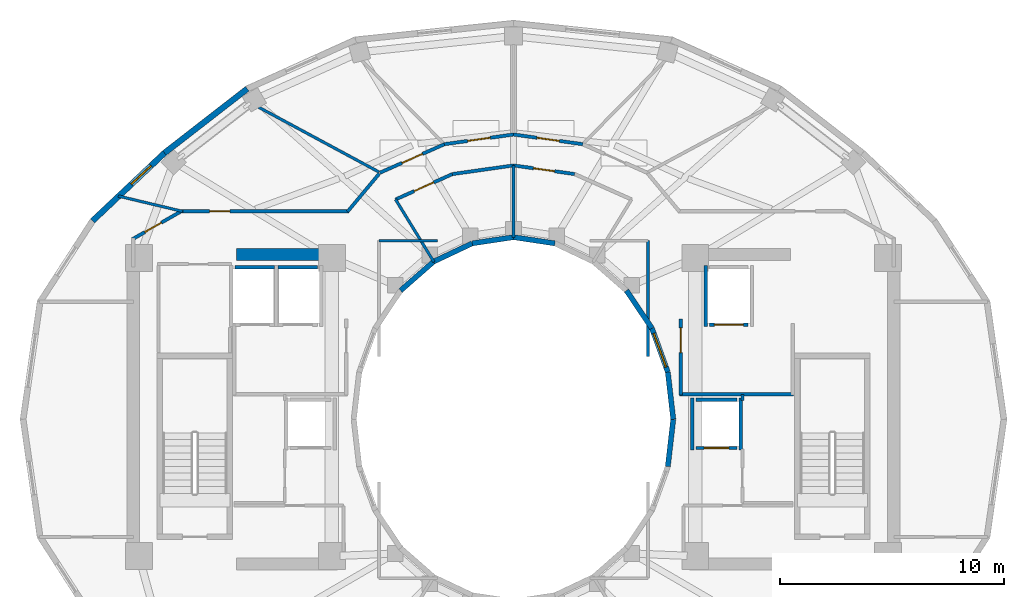
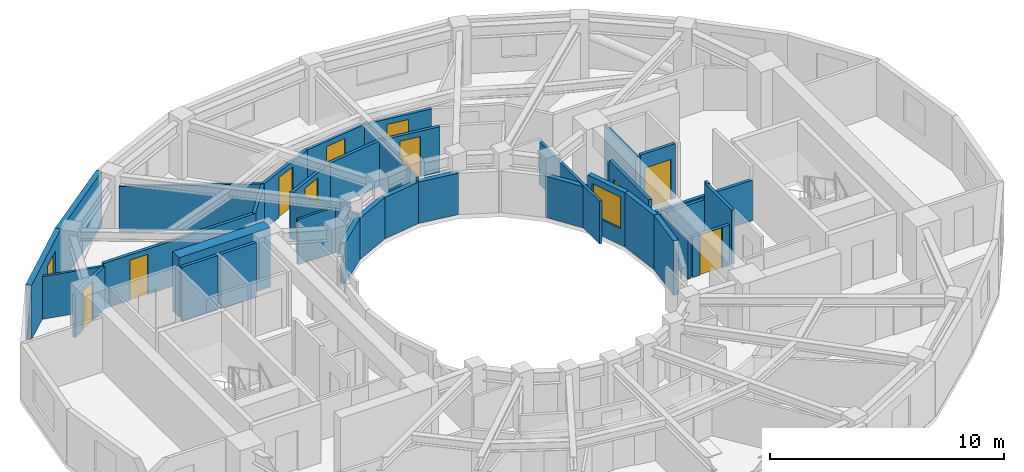
# One storey, part 5 of 9: 37 walls, 10 doors, 2 windows, 12 openings.
"""IFC4 building model written with IfcOpenShell, lengths in metres."""

import ifcopenshell
import ifcopenshell.guid

model = None  # the IFC model being written
_history = None  # IfcOwnerHistory: only IFC2X3 demands one
_inside = {}  # id of a spatial element -> (the spatial element, [elements in it])
_under = {}  # id of a project, library or spatial element -> (it, [spatial elements below it])
_declared = {}  # id of a project -> (the project, [libraries it declares])
_typed = {}  # id of a type object -> (the type object, [elements of that type])
_made_of = {}  # id of a material, layer set ... -> (it, [elements and type objects made of it])


def new_model(schema):
    """Start an empty IFC model of exactly this schema.

    Asked for "IFC4X3", IfcOpenShell would pick the latest addendum, in which some entities
    have other attributes; the version numbers below select the first issue.
    IFC2X3 requires an IfcOwnerHistory on every rooted entity: one is made here for all.
    """
    global model, _history
    if schema == "IFC4X3":
        model = ifcopenshell.file(schema_version=(4, 3, 0, 0))
    else:
        model = ifcopenshell.file(schema=schema)
    _inside.clear()
    _under.clear()
    _declared.clear()
    _typed.clear()
    _made_of.clear()
    _history = None
    if model.schema == "IFC2X3":
        org = make("IfcOrganization", Name="unknown")
        user = make(
            "IfcPersonAndOrganization",
            ThePerson=make("IfcPerson", FamilyName="unknown"),
            TheOrganization=org,
        )
        app = make(
            "IfcApplication",
            ApplicationDeveloper=org,
            Version="unknown",
            ApplicationFullName="unknown",
            ApplicationIdentifier="unknown",
        )
        _history = make(
            "IfcOwnerHistory",
            OwningUser=user,
            OwningApplication=app,
            ChangeAction="ADDED",
            CreationDate=0,
        )
    return model


def make(cls, **values):
    """One entity of the class cls with the attributes given. An attribute that is None is left unset."""
    return model.create_entity(
        cls, **{name: value for name, value in values.items() if value is not None}
    )


def rooted(cls, **values):
    """An entity with a GlobalId (a new one), such as an element, a storey or a relation."""
    return make(cls, GlobalId=ifcopenshell.guid.new(), OwnerHistory=_history, **values)


def si_unit(unit_type, name, prefix=None):
    """IfcSIUnit, for example si_unit("LENGTHUNIT", "METRE", prefix="MILLI")."""
    return make("IfcSIUnit", UnitType=unit_type, Prefix=prefix, Name=name)


def assignment(units):
    """IfcUnitAssignment: the units of a project."""
    return None if units is None else make("IfcUnitAssignment", Units=units)


def point(xyz):
    """IfcCartesianPoint."""
    return None if xyz is None else make("IfcCartesianPoint", Coordinates=xyz)


def direction(xyz):
    """IfcDirection."""
    return None if xyz is None else make("IfcDirection", DirectionRatios=xyz)


def frame(location, z_axis=None, x_axis=None):
    """IfcAxis2Placement3D, a coordinate frame: its origin and axes. An axis left out is left unset."""
    return make(
        "IfcAxis2Placement3D",
        Location=point(location),
        Axis=direction(z_axis),
        RefDirection=direction(x_axis),
    )


def frame_2d(location, x_axis=None):
    """IfcAxis2Placement2D, a coordinate frame in the plane: its origin and x axis."""
    return make(
        "IfcAxis2Placement2D", Location=point(location), RefDirection=direction(x_axis)
    )


def origin():
    """The frame at (0, 0, 0) with its axes left unset."""
    return frame((0.0, 0.0, 0.0))


def place(relative_to, where):
    """IfcLocalPlacement: puts the frame where relative to a parent placement (None: the world)."""
    return make(
        "IfcLocalPlacement", PlacementRelTo=relative_to, RelativePlacement=where
    )


def context(
    kind, dimensions, precision=None, world=None, true_north=None, identifier=None
):
    """IfcGeometricRepresentationContext, for example the 3D "Model" context."""
    return make(
        "IfcGeometricRepresentationContext",
        ContextIdentifier=identifier,
        ContextType=kind,
        CoordinateSpaceDimension=dimensions,
        Precision=precision,
        WorldCoordinateSystem=world,
        TrueNorth=true_north,
    )


def subcontext(parent, identifier, kind, view, scale=None):
    """IfcGeometricRepresentationSubContext, for example "Body" below "Model"."""
    return make(
        "IfcGeometricRepresentationSubContext",
        ContextIdentifier=identifier,
        ContextType=kind,
        ParentContext=parent,
        TargetScale=scale,
        TargetView=view,
    )


def project(units=None, contexts=None):
    """IfcProject with its units and contexts."""
    return rooted(
        "IfcProject",
        Name="project",
        RepresentationContexts=contexts,
        UnitsInContext=assignment(units),
    )


def spatial(cls, under=None, at=None, **own):
    """A site, building, storey or space (cls), placed at a placement, below another one or the project."""
    s = rooted(cls, ObjectPlacement=at, **own)
    if under is not None:
        _under.setdefault(under.id(), (under, []))[1].append(s)
    return s


def profile(cls, at=None, kind="AREA", **sizes):
    """A parametric profile (cls). Its sizes go by their IFC names, for example OverallWidth=200.0."""
    return make(cls, ProfileType=kind, Position=at, **sizes)


def rectangle(**sizes):
    """IfcRectangleProfileDef."""
    return profile("IfcRectangleProfileDef", **sizes)


def extrude(swept, where, along, depth):
    """IfcExtrudedAreaSolid: the profile swept, set in the frame where, extruded along a direction by depth."""
    return make(
        "IfcExtrudedAreaSolid",
        SweptArea=swept,
        Position=where,
        ExtrudedDirection=direction(along),
        Depth=depth,
    )


def shape(context_of_items, identifier, shape_type, items):
    """IfcShapeRepresentation: the items that make up one representation, for example the "Body"."""
    return make(
        "IfcShapeRepresentation",
        ContextOfItems=context_of_items,
        RepresentationIdentifier=identifier,
        RepresentationType=shape_type,
        Items=items,
    )


def material(Name=None, Category=None):
    """IfcMaterial."""
    return make("IfcMaterial", Name=Name, Category=Category)


def layer(
    of_material, thickness, ventilated=None, Name=None, Category=None, Priority=None
):
    """IfcMaterialLayer: one layer of a wall or slab, of a material (None: an air gap)."""
    return make(
        "IfcMaterialLayer",
        Material=of_material,
        LayerThickness=thickness,
        IsVentilated=ventilated,
        Name=Name,
        Category=Category,
        Priority=Priority,
    )


def layer_set(layers, Name=None):
    """IfcMaterialLayerSet."""
    return make("IfcMaterialLayerSet", MaterialLayers=layers, LayerSetName=Name)


def made_of(thing, what):
    """Note that an element or type object is made of a material, layer set ...; save() writes the relation."""
    if what is not None:
        _made_of.setdefault(what.id(), (what, []))[1].append(thing)
    return thing


def type_object(cls, material=None, **own):
    """A type object (cls), such as IfcWallType, which elements share."""
    return made_of(rooted(cls, **own), material)


def element(
    cls,
    number,
    at=None,
    inside=None,
    cuts=None,
    type_object=None,
    material=None,
    context=None,
    identifier="Body",
    shape_type=None,
    held_by="IfcProductDefinitionShape",
    body=None,
    shapes=None,
    **own,
):
    """One element of the class cls, such as IfcWall. Its Tag is "e" and its number.

    at: its placement. inside: the storey or other place that contains it. cuts: it is an
    opening in that element (IfcRelVoidsElement). A single representation is given by context,
    identifier, shape_type and body (its items); several are given by shapes. held_by: the class
    of the entity that holds the representations. save() writes the other relations.
    """
    e = rooted(cls, Tag="e%d" % number, ObjectPlacement=at, **own)
    if body is not None:
        shapes = [shape(context, identifier, shape_type, body)]
    if shapes is not None:
        e.Representation = make(held_by, Representations=shapes)
    if inside is not None:
        _inside.setdefault(inside.id(), (inside, []))[1].append(e)
    if cuts is not None:
        rooted(
            "IfcRelVoidsElement", RelatingBuildingElement=cuts, RelatedOpeningElement=e
        )
    if type_object is not None:
        _typed.setdefault(type_object.id(), (type_object, []))[1].append(e)
    return made_of(e, material)


def fill(opening, filler):
    """IfcRelFillsElement: the door or window that sits in an opening."""
    return rooted(
        "IfcRelFillsElement",
        RelatingOpeningElement=opening,
        RelatedBuildingElement=filler,
    )


def aggregate(whole, parts):
    """IfcRelAggregates: a whole, such as a stair, and the parts it consists of."""
    return rooted("IfcRelAggregates", RelatingObject=whole, RelatedObjects=parts)


def save(model, path):
    """Write the relations noted so far, then the file.

    IfcRelAggregates (storeys below a building ...), IfcRelContainedInSpatialStructure (elements
    in a storey), IfcRelDefinesByType, IfcRelAssociatesMaterial and IfcRelDeclares: one each for
    every whole, place, type object, material and project.
    """
    for whole, parts in _under.values():
        aggregate(whole, parts)
    for where, things in _inside.values():
        rooted(
            "IfcRelContainedInSpatialStructure",
            RelatedElements=things,
            RelatingStructure=where,
        )
    for kind, things in _typed.values():
        rooted("IfcRelDefinesByType", RelatedObjects=things, RelatingType=kind)
    for what, things in _made_of.values():
        rooted("IfcRelAssociatesMaterial", RelatedObjects=things, RelatingMaterial=what)
    for by, libraries in _declared.values():
        rooted("IfcRelDeclares", RelatingContext=by, RelatedDefinitions=libraries)
    model.write(path)


model = new_model("IFC4")

# Units and contexts
model_context = context("Model", 3, precision=1e-05, world=origin(), true_north=direction((0.0, 1.0)))
body_context = subcontext(model_context, "Body", "Model", "MODEL_VIEW")
ifc_project = project(units=[si_unit("LENGTHUNIT", "METRE"), si_unit("AREAUNIT", "SQUARE_METRE"), si_unit("VOLUMEUNIT", "CUBIC_METRE"), si_unit("PLANEANGLEUNIT", "RADIAN"), si_unit("MASSUNIT", "GRAM", prefix="KILO")], contexts=[model_context])

# Site, building, storey
site_placement = place(None, origin())
site = spatial("IfcSite", under=ifc_project, at=site_placement, CompositionType="ELEMENT")
building_placement = place(site_placement, origin())
building = spatial("IfcBuilding", under=site, at=building_placement, Name="Solvane Sanctuary Tower", CompositionType="ELEMENT")
storey_placement = place(building_placement, frame((0.0, 0.0, 229.5)))
storey = spatial("IfcBuildingStorey", under=building, at=storey_placement, Name="L70", CompositionType="ELEMENT", Elevation=229.5)

# Walls
ifc_material_1 = material(Name="Concrete C50/60", Category="concrete")
ifc_layer_1 = layer(ifc_material_1, 0.550048828125, Name="Concrete C50/60")
ifc_layer_set_1 = layer_set([ifc_layer_1], Name="Concrete C50/60")
wall_type_1 = type_object("IfcWallType", Name="Wall W-CORE-550", PredefinedType="SHEAR", material=ifc_layer_set_1)
wall_1_placement = place(storey_placement, frame((19.64990234375, 30.35009765625, 0.0), z_axis=(0.0, 0.0, 1.0), x_axis=(1.0, 0.0, 0.0)))
element("IfcWall", 1, at=wall_1_placement, inside=storey, type_object=wall_type_1, Name="L70 Core Shear Wall WC-N", PredefinedType="SHEAR", context=body_context, shape_type="SweptSolid", body=[
    extrude(rectangle(XDim=4.5, YDim=0.550048828125, at=frame_2d((2.25, 0.0))), origin(), (0.0, 0.0, 1.0), 3.10009765625),
])
ifc_material_2 = material(Name="Acoustic Gypsum Partition Board")
ifc_layer_2 = layer(ifc_material_2, 0.14990234375, Name="Acoustic Gypsum Partition Board")
ifc_layer_set_2 = layer_set([ifc_layer_2], Name="Acoustic Gypsum Partition Board")
wall_type_2 = type_object("IfcWallType", Name="Wall W-CORR-150", PredefinedType="PARTITIONING", material=ifc_layer_set_2)
wall_2_placement = place(storey_placement, frame((39.39990234375, 24.1201171875, 0.0), z_axis=(0.0, 0.0, 1.0), x_axis=(1.0, 0.0, 0.0)))
element("IfcWall", 2, at=wall_2_placement, inside=storey, type_object=wall_type_2, Name="L70 East Firefighting Lobby South Wall", PredefinedType="PARTITIONING", context=body_context, shape_type="SweptSolid", body=[
    extrude(rectangle(XDim=5.080078125, YDim=0.14990234375, at=frame_2d((2.5400390625, 0.0))), origin(), (0.0, 0.0, 1.0), 2.1201171875),
])

# Wall, opening, door
wall_3_placement = place(storey_placement, frame((39.449951171875, 24.080078125, 0.0), z_axis=(0.0, 0.0, 1.0), x_axis=(0.0, 1.0, 0.0)))
wall_3 = element("IfcWall", 3, at=wall_3_placement, inside=storey, type_object=wall_type_2, Name="L70 East Firefighting Lobby West Wall", PredefinedType="PARTITIONING", context=body_context, shape_type="SweptSolid", body=[
    extrude(rectangle(XDim=3.39990234375, YDim=0.14990234375, at=frame_2d((1.699951171875, 0.0))), origin(), (0.0, 0.0, 1.0), 2.85498046875),
])
opening_1_placement = place(wall_3_placement, frame((1.893798828125, 0.0, 0.0)))
opening_1 = element("IfcOpeningElement", 4, at=opening_1_placement, cuts=wall_3, Name="Opening D-L70-04", PredefinedType="OPENING", context=body_context, shape_type="SweptSolid", body=[
    extrude(rectangle(XDim=1.10009765625, YDim=2.10009765625, at=frame_2d((0.550048828125, 1.050048828125))), frame((0.0, 0.0849609375, 0.0), z_axis=(0.0, -1.0, 0.0), x_axis=(1.0, 0.0, 0.0)), (0.0, 0.0, 1.0), 0.169921875),
])
ifc_material_3 = material(Name="Architectural Stainless Steel 316", Category="steel")
door_type_1 = type_object("IfcDoorType", Name="Door D-FFL", OperationType="NOTDEFINED", PredefinedType="DOOR", material=ifc_material_3)
door_1_placement = place(opening_1_placement, origin())
door_1 = element("IfcDoor", 5, at=door_1_placement, inside=storey, type_object=door_type_1, Name="L70 East Firefighting Lobby Fire Door", OperationType="SINGLE_SWING_LEFT", OverallHeight=2.10009765625, OverallWidth=1.10009765625, PredefinedType="DOOR", context=body_context, shape_type="SweptSolid", body=[
    extrude(rectangle(XDim=1.10009765625, YDim=2.10009765625, at=frame_2d((0.550048828125, 1.050048828125))), frame((0.0, 0.02490234375, 0.0), z_axis=(0.0, -1.0, 0.0), x_axis=(1.0, 0.0, 0.0)), (0.0, 0.0, 1.0), 0.050048828125),
])
fill(opening_1, door_1)

wall_4_placement = place(storey_placement, frame((34.72412109375, 33.931884765625, 0.0), z_axis=(0.0, 0.0, 1.0), x_axis=(-0.990150268487, 0.140008734782, 0.0)))
wall_4 = element("IfcWall", 6, at=wall_4_placement, inside=storey, type_object=wall_type_2, Name="L70 Light-Well Alcove Corridor Wall 1", PredefinedType="PARTITIONING", context=body_context, shape_type="SweptSolid", body=[
    extrude(rectangle(XDim=2.758544921875, YDim=0.14990234375, at=frame_2d((1.37939453125, 0.0))), origin(), (0.0, 0.0, 1.0), 2.3759765625),
])
opening_2_placement = place(wall_4_placement, frame((0.904296875, 0.0, 0.0)))
opening_2 = element("IfcOpeningElement", 7, at=opening_2_placement, cuts=wall_4, Name="Opening D-L70-10", PredefinedType="OPENING", context=body_context, shape_type="SweptSolid", body=[
    extrude(rectangle(XDim=0.949951171875, YDim=2.10009765625, at=frame_2d((0.47509765625, 1.050048828125))), frame((0.0, 0.0849609375, 0.0), z_axis=(0.0, -1.0, 0.0), x_axis=(1.0, 0.0, 0.0)), (0.0, 0.0, 1.0), 0.169921875),
])
ifc_material_4 = material(Name="Engineered Tropical Hardwood", Category="wood")
door_type_2 = type_object("IfcDoorType", Name="Door D-ROOM-950", OperationType="NOTDEFINED", PredefinedType="DOOR", material=ifc_material_4)
door_2_placement = place(opening_2_placement, origin())
door_2 = element("IfcDoor", 8, at=door_2_placement, inside=storey, type_object=door_type_2, Name="L70 Light-Well Alcove Door 1", OperationType="SINGLE_SWING_LEFT", OverallHeight=2.10009765625, OverallWidth=0.949951171875, PredefinedType="DOOR", context=body_context, shape_type="SweptSolid", body=[
    extrude(rectangle(XDim=0.949951171875, YDim=2.10009765625, at=frame_2d((0.47509765625, 1.050048828125))), frame((0.0, 0.02490234375, 0.0), z_axis=(0.0, -1.0, 0.0), x_axis=(1.0, 0.0, 0.0)), (0.0, 0.0, 1.0), 0.050048828125),
])
fill(opening_2, door_2)

# Wall
wall_5_placement = place(storey_placement, frame((32.00732421875, 34.318115234375, 0.0), z_axis=(0.0, 0.0, 1.0), x_axis=(-0.990150268487, -0.140008734782, 0.0)))
element("IfcWall", 9, at=wall_5_placement, inside=storey, type_object=wall_type_2, Name="L70 Light-Well Alcove Corridor Wall 2", PredefinedType="PARTITIONING", context=body_context, shape_type="SweptSolid", body=[
    extrude(rectangle(XDim=2.758544921875, YDim=0.14990234375, at=frame_2d((1.37939453125, 0.0))), origin(), (0.0, 0.0, 1.0), 2.3759765625),
])

# Wall, opening, door
wall_6_placement = place(storey_placement, frame((29.279541015625, 33.932861328125, 0.0), z_axis=(0.0, 0.0, 1.0), x_axis=(-0.913254317828, -0.407389924971, 0.0)))
wall_6 = element("IfcWall", 10, at=wall_6_placement, inside=storey, type_object=wall_type_2, Name="L70 Light-Well Alcove Corridor Wall 2", PredefinedType="PARTITIONING", context=body_context, shape_type="SweptSolid", body=[
    extrude(rectangle(XDim=2.78662109375, YDim=0.14990234375, at=frame_2d((1.393310546875, 0.0))), origin(), (0.0, 0.0, 1.0), 2.3759765625),
])
opening_3_placement = place(wall_6_placement, frame((0.918212890625, 0.0, 0.0)))
opening_3 = element("IfcOpeningElement", 11, at=opening_3_placement, cuts=wall_6, Name="Opening D-L70-11", PredefinedType="OPENING", context=body_context, shape_type="SweptSolid", body=[
    extrude(rectangle(XDim=0.949951171875, YDim=2.10009765625, at=frame_2d((0.47509765625, 1.050048828125))), frame((0.0, 0.0849609375, 0.0), z_axis=(0.0, -1.0, 0.0), x_axis=(1.0, 0.0, 0.0)), (0.0, 0.0, 1.0), 0.169921875),
])
door_3_placement = place(opening_3_placement, origin())
door_3 = element("IfcDoor", 12, at=door_3_placement, inside=storey, type_object=door_type_2, Name="L70 Light-Well Alcove Door 2", OperationType="SINGLE_SWING_RIGHT", OverallHeight=2.10009765625, OverallWidth=0.949951171875, PredefinedType="DOOR", context=body_context, shape_type="SweptSolid", body=[
    extrude(rectangle(XDim=0.949951171875, YDim=2.10009765625, at=frame_2d((0.47509765625, 1.050048828125))), frame((0.0, 0.02490234375, 0.0), z_axis=(0.0, -1.0, 0.0), x_axis=(1.0, 0.0, 0.0)), (0.0, 0.0, 1.0), 0.050048828125),
])
fill(opening_3, door_3)

# Wall
wall_7_placement = place(storey_placement, frame((26.015869140625, 33.95458984375, 0.0), z_axis=(0.0, 0.0, 1.0), x_axis=(-0.64030392053, -0.76812166312, 0.0)))
element("IfcWall", 13, at=wall_7_placement, inside=storey, type_object=wall_type_2, Name="L70 NW Corner Throat Wall", PredefinedType="PARTITIONING", context=body_context, shape_type="SweptSolid", body=[
    extrude(rectangle(XDim=2.2099609375, YDim=0.14990234375, at=frame_2d((1.10498046875, 0.0))), origin(), (0.0, 0.0, 1.0), 2.3759765625),
])

# Wall, opening, door
wall_8_placement = place(storey_placement, frame((17.14990234375, 32.280029296875, 0.0), z_axis=(0.0, 0.0, 1.0), x_axis=(1.0, 0.0, 0.0)))
wall_8 = element("IfcWall", 14, at=wall_8_placement, inside=storey, type_object=wall_type_2, Name="L70 NW Corner Corridor Wall", PredefinedType="PARTITIONING", context=body_context, shape_type="SweptSolid", body=[
    extrude(rectangle(XDim=7.52001953125, YDim=0.14990234375, at=frame_2d((3.760009765625, 0.0))), origin(), (0.0, 0.0, 1.0), 2.3759765625),
])
opening_4_placement = place(wall_8_placement, frame((1.300048828125, 0.0, 0.0)))
opening_4 = element("IfcOpeningElement", 15, at=opening_4_placement, cuts=wall_8, Name="Opening D-L70-17", PredefinedType="OPENING", context=body_context, shape_type="SweptSolid", body=[
    extrude(rectangle(XDim=0.89990234375, YDim=2.10009765625, at=frame_2d((0.449951171875, 1.050048828125))), frame((0.0, 0.0849609375, 0.0), z_axis=(0.0, -1.0, 0.0), x_axis=(1.0, 0.0, 0.0)), (0.0, 0.0, 1.0), 0.169921875),
])
door_type_3 = type_object("IfcDoorType", Name="Door D-WET-900", OperationType="NOTDEFINED", PredefinedType="DOOR", material=ifc_material_4)
door_4_placement = place(opening_4_placement, origin())
door_4 = element("IfcDoor", 16, at=door_4_placement, inside=storey, type_object=door_type_3, Name="L70 NW Corner Salon Door", OperationType="SINGLE_SWING_RIGHT", OverallHeight=2.10009765625, OverallWidth=0.89990234375, PredefinedType="DOOR", context=body_context, shape_type="SweptSolid", body=[
    extrude(rectangle(XDim=0.89990234375, YDim=2.10009765625, at=frame_2d((0.449951171875, 1.050048828125))), frame((0.0, 0.02490234375, 0.0), z_axis=(0.0, -1.0, 0.0), x_axis=(1.0, 0.0, 0.0)), (0.0, 0.0, 1.0), 0.050048828125),
])
fill(opening_4, door_4)

wall_9_placement = place(storey_placement, frame((17.243408203125, 32.3046875, 0.0), z_axis=(0.0, 0.0, 1.0), x_axis=(-0.867991349648, -0.496579315857, 0.0)))
wall_9 = element("IfcWall", 17, at=wall_9_placement, inside=storey, type_object=wall_type_2, Name="L70 NW Corner Wing Wall", PredefinedType="PARTITIONING", context=body_context, shape_type="SweptSolid", body=[
    extrude(rectangle(XDim=2.56689453125, YDim=0.14990234375, at=frame_2d((1.283447265625, 0.0))), origin(), (0.0, 0.0, 1.0), 2.219970703125),
])
opening_5_placement = place(wall_9_placement, frame((1.085693359375, 0.0, 0.0)))
opening_5 = element("IfcOpeningElement", 18, at=opening_5_placement, cuts=wall_9, Name="Opening D-L70-18", PredefinedType="OPENING", context=body_context, shape_type="SweptSolid", body=[
    extrude(rectangle(XDim=0.85009765625, YDim=2.050048828125, at=frame_2d((0.425048828125, 1.02490234375))), frame((0.0, 0.0849609375, 0.0), z_axis=(0.0, -1.0, 0.0), x_axis=(1.0, 0.0, 0.0)), (0.0, 0.0, 1.0), 0.169921875),
])
door_type_4 = type_object("IfcDoorType", Name="Door D-RISER", OperationType="NOTDEFINED", PredefinedType="DOOR", material=ifc_material_3)
door_5_placement = place(opening_5_placement, origin())
door_5 = element("IfcDoor", 19, at=door_5_placement, inside=storey, type_object=door_type_4, Name="L70 NW Corner Suite Door", OperationType="SINGLE_SWING_LEFT", OverallHeight=2.050048828125, OverallWidth=0.85009765625, PredefinedType="DOOR", context=body_context, shape_type="SweptSolid", body=[
    extrude(rectangle(XDim=0.85009765625, YDim=2.050048828125, at=frame_2d((0.425048828125, 1.02490234375))), frame((0.0, 0.02490234375, 0.0), z_axis=(0.0, -1.0, 0.0), x_axis=(1.0, 0.0, 0.0)), (0.0, 0.0, 1.0), 0.050048828125),
])
fill(opening_5, door_5)

wall_10_placement = place(storey_placement, frame((35.08740234375, 35.262939453125, 0.0), z_axis=(0.0, 0.0, 1.0), x_axis=(-0.990268690673, 0.139168675614, 0.0)))
wall_10 = element("IfcWall", 20, at=wall_10_placement, inside=storey, type_object=wall_type_2, Name="L70 Unit Corridor Wall N2", PredefinedType="PARTITIONING", context=body_context, shape_type="SweptSolid", body=[
    extrude(rectangle(XDim=3.126220703125, YDim=0.14990234375, at=frame_2d((1.56298828125, 0.0))), origin(), (0.0, 0.0, 1.0), 2.3759765625),
])
opening_6_placement = place(wall_10_placement, frame((1.06298828125, 0.0, 0.0)))
opening_6 = element("IfcOpeningElement", 21, at=opening_6_placement, cuts=wall_10, Name="Opening D-L70-22", PredefinedType="OPENING", context=body_context, shape_type="SweptSolid", body=[
    extrude(rectangle(XDim=1.0, YDim=2.10009765625, at=frame_2d((0.5, 1.050048828125))), frame((0.0, 0.0849609375, 0.0), z_axis=(0.0, -1.0, 0.0), x_axis=(1.0, 0.0, 0.0)), (0.0, 0.0, 1.0), 0.169921875),
])
door_type_5 = type_object("IfcDoorType", Name="Door D-UNIT", OperationType="NOTDEFINED", PredefinedType="DOOR", material=ifc_material_4)
door_6_placement = place(opening_6_placement, origin())
door_6 = element("IfcDoor", 22, at=door_6_placement, inside=storey, type_object=door_type_5, Name="L70 Unit Entrance Door N2", OperationType="SINGLE_SWING_LEFT", OverallHeight=2.10009765625, OverallWidth=1.0, PredefinedType="DOOR", context=body_context, shape_type="SweptSolid", body=[
    extrude(rectangle(XDim=1.0, YDim=2.10009765625, at=frame_2d((0.5, 1.050048828125))), frame((0.0, 0.02490234375, 0.0), z_axis=(0.0, -1.0, 0.0), x_axis=(1.0, 0.0, 0.0)), (0.0, 0.0, 1.0), 0.050048828125),
])
fill(opening_6, door_6)

wall_11_placement = place(storey_placement, frame((32.00830078125, 35.697998046875, 0.0), z_axis=(0.0, 0.0, 1.0), x_axis=(-0.990268690673, -0.139168675614, 0.0)))
wall_11 = element("IfcWall", 23, at=wall_11_placement, inside=storey, type_object=wall_type_2, Name="L70 Unit Corridor Wall N3", PredefinedType="PARTITIONING", context=body_context, shape_type="SweptSolid", body=[
    extrude(rectangle(XDim=3.126220703125, YDim=0.14990234375, at=frame_2d((1.56298828125, 0.0))), origin(), (0.0, 0.0, 1.0), 2.3759765625),
])
opening_7_placement = place(wall_11_placement, frame((1.06298828125, 0.0, 0.0)))
opening_7 = element("IfcOpeningElement", 24, at=opening_7_placement, cuts=wall_11, Name="Opening D-L70-23", PredefinedType="OPENING", context=body_context, shape_type="SweptSolid", body=[
    extrude(rectangle(XDim=1.0, YDim=2.10009765625, at=frame_2d((0.5, 1.050048828125))), frame((0.0, 0.0849609375, 0.0), z_axis=(0.0, -1.0, 0.0), x_axis=(1.0, 0.0, 0.0)), (0.0, 0.0, 1.0), 0.169921875),
])
door_7_placement = place(opening_7_placement, origin())
door_7 = element("IfcDoor", 25, at=door_7_placement, inside=storey, type_object=door_type_5, Name="L70 Unit Entrance Door N3", OperationType="SINGLE_SWING_RIGHT", OverallHeight=2.10009765625, OverallWidth=1.0, PredefinedType="DOOR", context=body_context, shape_type="SweptSolid", body=[
    extrude(rectangle(XDim=1.0, YDim=2.10009765625, at=frame_2d((0.5, 1.050048828125))), frame((0.0, 0.02490234375, 0.0), z_axis=(0.0, -1.0, 0.0), x_axis=(1.0, 0.0, 0.0)), (0.0, 0.0, 1.0), 0.050048828125),
])
fill(opening_7, door_7)

wall_12_placement = place(storey_placement, frame((28.9287109375, 35.267578125, 0.0), z_axis=(0.0, 0.0, 1.0), x_axis=(-0.914642679993, -0.404263240891, 0.0)))
wall_12 = element("IfcWall", 26, at=wall_12_placement, inside=storey, type_object=wall_type_2, Name="L70 Unit Corridor Wall N4", PredefinedType="PARTITIONING", context=body_context, shape_type="SweptSolid", body=[
    extrude(rectangle(XDim=3.154296875, YDim=0.14990234375, at=frame_2d((1.5771484375, 0.0))), origin(), (0.0, 0.0, 1.0), 2.3759765625),
])
opening_8_placement = place(wall_12_placement, frame((1.076904296875, 0.0, 0.0)))
opening_8 = element("IfcOpeningElement", 27, at=opening_8_placement, cuts=wall_12, Name="Opening D-L70-24", PredefinedType="OPENING", context=body_context, shape_type="SweptSolid", body=[
    extrude(rectangle(XDim=1.0, YDim=2.10009765625, at=frame_2d((0.5, 1.050048828125))), frame((0.0, 0.0849609375, 0.0), z_axis=(0.0, -1.0, 0.0), x_axis=(1.0, 0.0, 0.0)), (0.0, 0.0, 1.0), 0.169921875),
])
door_8_placement = place(opening_8_placement, origin())
door_8 = element("IfcDoor", 28, at=door_8_placement, inside=storey, type_object=door_type_5, Name="L70 Unit Entrance Door N4", OperationType="SINGLE_SWING_LEFT", OverallHeight=2.10009765625, OverallWidth=1.0, PredefinedType="DOOR", context=body_context, shape_type="SweptSolid", body=[
    extrude(rectangle(XDim=1.0, YDim=2.10009765625, at=frame_2d((0.5, 1.050048828125))), frame((0.0, 0.02490234375, 0.0), z_axis=(0.0, -1.0, 0.0), x_axis=(1.0, 0.0, 0.0)), (0.0, 0.0, 1.0), 0.050048828125),
])
fill(opening_8, door_8)

# Wall
ifc_material_5 = material(Name="Precast concrete C40/50", Category="concrete")
ifc_layer_3 = layer(ifc_material_5, 0.260009765625, Name="Precast concrete C40/50")
ifc_layer_set_3 = layer_set([ifc_layer_3], Name="Precast concrete C40/50")
wall_type_3 = type_object("IfcWallType", Name="Wall W-EXT-250", PredefinedType="STANDARD", material=ifc_layer_set_3)
wall_13_placement = place(storey_placement, frame((20.1298828125, 37.732666015625, 0.0), z_axis=(0.0, 0.0, 1.0), x_axis=(-0.790126214723, -0.612944177563, 0.0)))
element("IfcWall", 29, at=wall_13_placement, inside=storey, type_object=wall_type_3, Name="L70 Ceramic-Printed Facade Wall 08", PredefinedType="STANDARD", context=body_context, shape_type="SweptSolid", body=[
    extrude(rectangle(XDim=4.6669921875, YDim=0.260009765625, at=frame_2d((2.33349609375, 0.0))), origin(), (0.0, 0.0, 1.0), 2.85009765625),
])

# Wall, opening, window
wall_14_placement = place(storey_placement, frame((16.4423828125, 34.8720703125, 0.0), z_axis=(0.0, 0.0, 1.0), x_axis=(-0.72731899451, -0.686299555752, 0.0)))
wall_14 = element("IfcWall", 30, at=wall_14_placement, inside=storey, type_object=wall_type_3, Name="L70 Ceramic-Printed Facade Wall 09", PredefinedType="STANDARD", context=body_context, shape_type="SweptSolid", body=[
    extrude(rectangle(XDim=4.404296875, YDim=0.260009765625, at=frame_2d((2.2021484375, 0.0))), origin(), (0.0, 0.0, 1.0), 2.85009765625),
])
opening_9_placement = place(wall_14_placement, frame((0.826904296875, 0.0, 0.75)))
opening_9 = element("IfcOpeningElement", 31, at=opening_9_placement, cuts=wall_14, Name="Opening WN-OPER-1200", PredefinedType="OPENING", context=body_context, shape_type="SweptSolid", body=[
    extrude(rectangle(XDim=1.199951171875, YDim=1.5, at=frame_2d((0.60009765625, 0.75))), frame((0.0, 0.139892578125, 0.0), z_axis=(0.0, -1.0, 0.0), x_axis=(1.0, 0.0, 0.0)), (0.0, 0.0, 1.0), 0.280029296875),
])
ifc_material_6 = material(Name="Dark Ceramic-Fritted Low-E Glass", Category="glass")
window_type_1 = type_object("IfcWindowType", Name="Window WN-OPER-1200", PartitioningType="SINGLE_PANEL", PredefinedType="WINDOW", material=ifc_material_6)
window_1_placement = place(opening_9_placement, origin())
window_1 = element("IfcWindow", 32, at=window_1_placement, inside=storey, type_object=window_type_1, Name="L70 Operable Facade Window 09", OverallHeight=1.5, OverallWidth=1.199951171875, PartitioningType="SINGLE_PANEL", PredefinedType="WINDOW", context=body_context, shape_type="SweptSolid", body=[
    extrude(rectangle(XDim=1.199951171875, YDim=1.5, at=frame_2d((0.60009765625, 0.75))), frame((0.0, 0.030029296875, 0.0), z_axis=(0.0, -1.0, 0.0), x_axis=(1.0, 0.0, 0.0)), (0.0, 0.0, 1.0), 0.06005859375),
])
fill(opening_9, window_1)

# Wall
ifc_layer_4 = layer(ifc_material_5, 0.22998046875, Name="Precast concrete C40/50")
ifc_layer_set_4 = layer_set([ifc_layer_4], Name="Precast concrete C40/50")
wall_type_4 = type_object("IfcWallType", Name="Wall W-EXT-SP220", PredefinedType="STANDARD", material=ifc_layer_set_4)
wall_15_placement = place(storey_placement, frame((39.1201171875, 23.0, 0.0), z_axis=(0.0, 0.0, 1.0), x_axis=(-0.114711713601, 0.993398823617, 0.0)))
element("IfcWall", 33, at=wall_15_placement, inside=storey, type_object=wall_type_4, Name="L70 Central Light-Well Wall 00", PredefinedType="STANDARD", context=body_context, shape_type="SweptSolid", body=[
    extrude(rectangle(XDim=2.115478515625, YDim=0.22998046875, at=frame_2d((1.0576171875, 0.0))), origin(), (0.0, 0.0, 1.0), 2.840087890625),
])

# Wall, opening, window
wall_16_placement = place(storey_placement, frame((38.87744140625, 25.1015625, 0.0), z_axis=(0.0, 0.0, 1.0), x_axis=(-0.341423187295, 0.93990968033, 0.0)))
wall_16 = element("IfcWall", 34, at=wall_16_placement, inside=storey, type_object=wall_type_4, Name="L70 Central Light-Well Wall 01", PredefinedType="STANDARD", context=body_context, shape_type="SweptSolid", body=[
    extrude(rectangle(XDim=2.083740234375, YDim=0.22998046875, at=frame_2d((1.0419921875, 0.0))), origin(), (0.0, 0.0, 1.0), 2.840087890625),
])
opening_10_placement = place(wall_16_placement, frame((0.24169921875, 0.0, 0.85009765625)))
opening_10 = element("IfcOpeningElement", 35, at=opening_10_placement, cuts=wall_16, Name="Opening WN-WELL-1600", PredefinedType="OPENING", context=body_context, shape_type="SweptSolid", body=[
    extrude(rectangle(XDim=1.60009765625, YDim=1.64990234375, at=frame_2d((0.800048828125, 0.824951171875))), frame((0.0, 0.125, 0.0), z_axis=(0.0, -1.0, 0.0), x_axis=(1.0, 0.0, 0.0)), (0.0, 0.0, 1.0), 0.25),
])
ifc_material_7 = material(Name="Clear Laminated Light-Well Glass", Category="glass")
window_type_2 = type_object("IfcWindowType", Name="Window WN-WELL-1600", PartitioningType="SINGLE_PANEL", PredefinedType="WINDOW", material=ifc_material_7)
window_2_placement = place(opening_10_placement, origin())
window_2 = element("IfcWindow", 36, at=window_2_placement, inside=storey, type_object=window_type_2, Name="L70 Light-Well Daylight Window 01", OverallHeight=1.64990234375, OverallWidth=1.60009765625, PartitioningType="SINGLE_PANEL", PredefinedType="WINDOW", context=body_context, shape_type="SweptSolid", body=[
    extrude(rectangle(XDim=1.60009765625, YDim=1.64990234375, at=frame_2d((0.800048828125, 0.824951171875))), frame((0.0, 0.030029296875, 0.0), z_axis=(0.0, -1.0, 0.0), x_axis=(1.0, 0.0, 0.0)), (0.0, 0.0, 1.0), 0.06005859375),
])
fill(opening_10, window_2)

# Walls
wall_17_placement = place(storey_placement, frame((38.166015625, 27.06005859375, 0.0), z_axis=(0.0, 0.0, 1.0), x_axis=(-0.558197800898, 0.829707909492, 0.0)))
element("IfcWall", 37, at=wall_17_placement, inside=storey, type_object=wall_type_4, Name="L70 Central Light-Well Wall 02", PredefinedType="STANDARD", context=body_context, shape_type="SweptSolid", body=[
    extrude(rectangle(XDim=2.02685546875, YDim=0.22998046875, at=frame_2d((1.013427734375, 0.0))), origin(), (0.0, 0.0, 1.0), 2.159912109375),
])
for number, where, z_axis, x_axis, name in (
    (38, (33.8427734375, 30.84326171875, 0.0), (0.0, 0.0, 1.0), (-0.988901730308, 0.148571086668, 0.0), "L70 Central Light-Well Wall 05"),
    (39, (32.0, 31.1201171875, 0.0), (0.0, 0.0, 1.0), (-0.988901730308, -0.148571086668, 0.0), "L70 Central Light-Well Wall 06"),
):
    element("IfcWall", number, at=place(storey_placement, frame(where, z_axis=z_axis, x_axis=x_axis)), inside=storey, type_object=wall_type_4, Name=name, PredefinedType="STANDARD", context=body_context, shape_type="SweptSolid", body=[
        extrude(rectangle(XDim=1.863525390625, YDim=0.22998046875, at=frame_2d((0.931640625, 0.0))), origin(), (0.0, 0.0, 1.0), 2.159912109375),
    ])
wall_18_placement = place(storey_placement, frame((30.1572265625, 30.84326171875, 0.0), z_axis=(0.0, 0.0, 1.0), x_axis=(-0.904179699603, -0.427152280606, 0.0)))
element("IfcWall", 40, at=wall_18_placement, inside=storey, type_object=wall_type_4, Name="L70 Central Light-Well Wall 07", PredefinedType="STANDARD", context=body_context, shape_type="SweptSolid", body=[
    extrude(rectangle(XDim=1.899169921875, YDim=0.22998046875, at=frame_2d((0.94970703125, 0.0))), origin(), (0.0, 0.0, 1.0), 2.159912109375),
])
wall_19_placement = place(storey_placement, frame((28.43994140625, 30.031982421875, 0.0), z_axis=(0.0, 0.0, 1.0), x_axis=(-0.752576694707, -0.658504607869, 0.0)))
element("IfcWall", 41, at=wall_19_placement, inside=storey, type_object=wall_type_4, Name="L70 Central Light-Well Wall 08", PredefinedType="STANDARD", context=body_context, shape_type="SweptSolid", body=[
    extrude(rectangle(XDim=1.95947265625, YDim=0.22998046875, at=frame_2d((0.979736328125, 0.0))), origin(), (0.0, 0.0, 1.0), 2.159912109375),
])
wall_20_placement = place(storey_placement, frame((38.87744140625, 20.8984375, 0.0), z_axis=(0.0, 0.0, 1.0), x_axis=(0.114711713601, 0.993398823617, 0.0)))
element("IfcWall", 42, at=wall_20_placement, inside=storey, type_object=wall_type_4, Name="L70 Central Light-Well Wall 23", PredefinedType="STANDARD", context=body_context, shape_type="SweptSolid", body=[
    extrude(rectangle(XDim=2.115478515625, YDim=0.22998046875, at=frame_2d((1.0576171875, 0.0))), origin(), (0.0, 0.0, 1.0), 2.840087890625),
])
ifc_layer_5 = layer(ifc_material_2, 0.1201171875, Name="Acoustic Gypsum Partition Board")
ifc_layer_set_5 = layer_set([ifc_layer_5], Name="Acoustic Gypsum Partition Board")
wall_type_5 = type_object("IfcWallType", Name="Wall W-MOV-100", PredefinedType="MOVABLE", material=ifc_layer_set_5)
wall_21_placement = place(storey_placement, frame((17.24853515625, 32.268310546875, 0.0), z_axis=(0.0, 0.0, 1.0), x_axis=(-0.972648835931, 0.232280524286, 0.0)))
element("IfcWall", 43, at=wall_21_placement, inside=storey, type_object=wall_type_5, Name="L70 NW Corner Suite Partition", PredefinedType="MOVABLE", context=body_context, shape_type="SweptSolid", body=[
    extrude(rectangle(XDim=2.950439453125, YDim=0.1201171875, at=frame_2d((1.47509765625, 0.0))), origin(), (0.0, 0.0, 1.0), 2.219970703125),
])
ifc_layer_6 = layer(ifc_material_2, 0.125, Name="Acoustic Gypsum Partition Board")
ifc_layer_set_6 = layer_set([ifc_layer_6], Name="Acoustic Gypsum Partition Board")
wall_type_6 = type_object("IfcWallType", Name="Wall W-PART-125", PredefinedType="PARTITIONING", material=ifc_layer_set_6)
wall_22_placement = place(storey_placement, frame((42.199951171875, 23.85009765625, 0.0), z_axis=(0.0, 0.0, 1.0), x_axis=(0.0, 1.0, 0.0)))
element("IfcWall", 44, at=wall_22_placement, inside=storey, type_object=wall_type_6, Name="L70 Reclaimed Room Dividing Wall PME", PredefinedType="PARTITIONING", context=body_context, shape_type="SweptSolid", body=[
    extrude(rectangle(XDim=0.25, YDim=0.125, at=frame_2d((0.125, 0.0))), origin(), (0.0, 0.0, 1.0), 2.85498046875),
])
wall_23_placement = place(storey_placement, frame((32.0, 31.10009765625, 0.0), z_axis=(0.0, 0.0, 1.0), x_axis=(0.0, 1.0, 0.0)))
element("IfcWall", 45, at=wall_23_placement, inside=storey, type_object=wall_type_6, Name="L70 Light-Well Alcove Radial Wall 90", PredefinedType="PARTITIONING", context=body_context, shape_type="SweptSolid", body=[
    extrude(rectangle(XDim=3.218017578125, YDim=0.125, at=frame_2d((1.60888671875, 0.0))), origin(), (0.0, 0.0, 1.0), 2.3759765625),
])
wall_24_placement = place(storey_placement, frame((28.449951171875, 30.014892578125, 0.0), z_axis=(0.0, 0.0, 1.0), x_axis=(-0.522763432117, 0.852477796802, 0.0)))
element("IfcWall", 46, at=wall_24_placement, inside=storey, type_object=wall_type_6, Name="L70 Light-Well Alcove Radial Wall 120", PredefinedType="PARTITIONING", context=body_context, shape_type="SweptSolid", body=[
    extrude(rectangle(XDim=3.26904296875, YDim=0.125, at=frame_2d((1.634521484375, 0.0))), origin(), (0.0, 0.0, 1.0), 2.3759765625),
])
wall_25_placement = place(storey_placement, frame((26.0, 30.9599609375, 0.0), z_axis=(0.0, 0.0, 1.0), x_axis=(1.0, 0.0, 0.0)))
element("IfcWall", 47, at=wall_25_placement, inside=storey, type_object=wall_type_6, Name="L70 Bridge Alcove Wall 2", PredefinedType="PARTITIONING", context=body_context, shape_type="SweptSolid", body=[
    extrude(rectangle(XDim=2.60009765625, YDim=0.125, at=frame_2d((1.300048828125, 0.0))), origin(), (0.0, 0.0, 1.0), 2.3759765625),
])
wall_26_placement = place(storey_placement, frame((38.0, 25.800048828125, 0.0), z_axis=(0.0, 0.0, 1.0), x_axis=(0.0, 1.0, 0.0)))
element("IfcWall", 48, at=wall_26_placement, inside=storey, type_object=wall_type_6, Name="L70 Bridge Alcove Wall 3", PredefinedType="PARTITIONING", context=body_context, shape_type="SweptSolid", body=[
    extrude(rectangle(XDim=5.159912109375, YDim=0.125, at=frame_2d((2.580078125, 0.0))), origin(), (0.0, 0.0, 1.0), 2.23193359375),
])
wall_27_placement = place(storey_placement, frame((26.002685546875, 34.02294921875, 0.0), z_axis=(0.0, 0.0, 1.0), x_axis=(-0.880531534665, 0.473987569943, 0.0)))
element("IfcWall", 49, at=wall_27_placement, inside=storey, type_object=wall_type_6, Name="L70 Radial Compartment Wall 120", PredefinedType="PARTITIONING", context=body_context, shape_type="SweptSolid", body=[
    extrude(rectangle(XDim=6.095947265625, YDim=0.125, at=frame_2d((3.0478515625, 0.0))), origin(), (0.0, 0.0, 1.0), 2.3759765625),
])

# Wall, opening, door
ifc_layer_7 = layer(ifc_material_1, 0.14990234375, Name="Concrete C50/60")
ifc_layer_set_7 = layer_set([ifc_layer_7], Name="Concrete C50/60")
wall_type_7 = type_object("IfcWallType", Name="Wall W-SHAFT-150", PredefinedType="SOLIDWALL", material=ifc_layer_set_7)
wall_28_placement = place(storey_placement, frame((40.139892578125, 21.719970703125, 0.0), z_axis=(0.0, 0.0, 1.0), x_axis=(1.0, 0.0, 0.0)))
wall_28 = element("IfcWall", 50, at=wall_28_placement, inside=storey, type_object=wall_type_7, Name="L70 PH-2 Lift Shaft Wall F", PredefinedType="SOLIDWALL", context=body_context, shape_type="SweptSolid", body=[
    extrude(rectangle(XDim=1.820068359375, YDim=0.14990234375, at=frame_2d((0.91015625, 0.0))), origin(), (0.0, 0.0, 1.0), 2.1201171875),
])
opening_11_placement = place(wall_28_placement, frame((0.360107421875, 0.0, 0.0)))
opening_11 = element("IfcOpeningElement", 51, at=opening_11_placement, cuts=wall_28, Name="Opening LD-L70-02", PredefinedType="OPENING", context=body_context, shape_type="SweptSolid", body=[
    extrude(rectangle(XDim=1.10009765625, YDim=2.10009765625, at=frame_2d((0.550048828125, 1.050048828125))), frame((0.0, 0.0849609375, 0.0), z_axis=(0.0, -1.0, 0.0), x_axis=(1.0, 0.0, 0.0)), (0.0, 0.0, 1.0), 0.169921875),
])
door_type_6 = type_object("IfcDoorType", Name="Door LD-PASS-1100", OperationType="NOTDEFINED", PredefinedType="DOOR", material=ifc_material_3)
door_9_placement = place(opening_11_placement, origin())
door_9 = element("IfcDoor", 52, at=door_9_placement, inside=storey, type_object=door_type_6, Name="L70 PH-2 Lift Landing Door", OperationType="DOUBLE_DOOR_SLIDING", OverallHeight=2.10009765625, OverallWidth=1.10009765625, PredefinedType="DOOR", context=body_context, shape_type="SweptSolid", body=[
    extrude(rectangle(XDim=1.10009765625, YDim=2.10009765625, at=frame_2d((0.550048828125, 1.050048828125))), frame((0.0, 0.02490234375, 0.0), z_axis=(0.0, -1.0, 0.0), x_axis=(1.0, 0.0, 0.0)), (0.0, 0.0, 1.0), 0.050048828125),
])
fill(opening_11, door_9)

# Walls
wall_29_placement = place(storey_placement, frame((40.139892578125, 23.8798828125, 0.0), z_axis=(0.0, 0.0, 1.0), x_axis=(1.0, 0.0, 0.0)))
element("IfcWall", 53, at=wall_29_placement, inside=storey, type_object=wall_type_7, Name="L70 PH-2 Lift Shaft Wall B", PredefinedType="SOLIDWALL", context=body_context, shape_type="SweptSolid", body=[
    extrude(rectangle(XDim=1.820068359375, YDim=0.14990234375, at=frame_2d((0.91015625, 0.0))), origin(), (0.0, 0.0, 1.0), 2.1201171875),
])
wall_30_placement = place(storey_placement, frame((39.969970703125, 21.639892578125, 0.0), z_axis=(0.0, 0.0, 1.0), x_axis=(0.0, 1.0, 0.0)))
element("IfcWall", 54, at=wall_30_placement, inside=storey, type_object=wall_type_7, Name="L70 PH-2 Lift Shaft Wall S1", PredefinedType="SOLIDWALL", context=body_context, shape_type="SweptSolid", body=[
    extrude(rectangle(XDim=2.320068359375, YDim=0.14990234375, at=frame_2d((1.16015625, 0.0))), origin(), (0.0, 0.0, 1.0), 2.1201171875),
])
wall_31_placement = place(storey_placement, frame((42.1298828125, 21.639892578125, 0.0), z_axis=(0.0, 0.0, 1.0), x_axis=(0.0, 1.0, 0.0)))
element("IfcWall", 55, at=wall_31_placement, inside=storey, type_object=wall_type_7, Name="L70 PH-2 Lift Shaft Wall S2", PredefinedType="SOLIDWALL", context=body_context, shape_type="SweptSolid", body=[
    extrude(rectangle(XDim=2.320068359375, YDim=0.14990234375, at=frame_2d((1.16015625, 0.0))), origin(), (0.0, 0.0, 1.0), 2.85498046875),
])
for number, where, z_axis, x_axis, name in (
    (56, (19.590087890625, 29.780029296875, 0.0), (0.0, 0.0, 1.0), (1.0, 0.0, 0.0), "L70 FFL-1 Lift Shaft Wall B"),
    (57, (21.5, 29.780029296875, 0.0), (0.0, 0.0, 1.0), (1.0, 0.0, 0.0), "L70 SVL-1 Lift Shaft Wall B"),
):
    element("IfcWall", number, at=place(storey_placement, frame(where, z_axis=z_axis, x_axis=x_axis)), inside=storey, type_object=wall_type_7, Name=name, PredefinedType="SOLIDWALL", context=body_context, shape_type="SweptSolid", body=[
        extrude(rectangle(XDim=1.760009765625, YDim=0.14990234375, at=frame_2d((0.8798828125, 0.0))), origin(), (0.0, 0.0, 1.0), 2.85498046875),
    ])

# Wall, opening, door
wall_32_placement = place(storey_placement, frame((40.739990234375, 27.219970703125, 0.0), z_axis=(0.0, 0.0, 1.0), x_axis=(1.0, 0.0, 0.0)))
wall_32 = element("IfcWall", 58, at=wall_32_placement, inside=storey, type_object=wall_type_7, Name="L70 FFL-2 Lift Shaft Wall F", PredefinedType="SOLIDWALL", context=body_context, shape_type="SweptSolid", body=[
    extrude(rectangle(XDim=1.719970703125, YDim=0.14990234375, at=frame_2d((0.85986328125, 0.0))), origin(), (0.0, 0.0, 1.0), 2.85498046875),
])
opening_12_placement = place(wall_32_placement, frame((0.2099609375, 0.0, 0.0)))
opening_12 = element("IfcOpeningElement", 59, at=opening_12_placement, cuts=wall_32, Name="Opening LD-L70-05", PredefinedType="OPENING", context=body_context, shape_type="SweptSolid", body=[
    extrude(rectangle(XDim=1.300048828125, YDim=2.10009765625, at=frame_2d((0.64990234375, 1.050048828125))), frame((0.0, 0.0849609375, 0.0), z_axis=(0.0, -1.0, 0.0), x_axis=(1.0, 0.0, 0.0)), (0.0, 0.0, 1.0), 0.169921875),
])
door_type_7 = type_object("IfcDoorType", Name="Door LD-FFL-1300", OperationType="NOTDEFINED", PredefinedType="DOOR", material=ifc_material_3)
door_10_placement = place(opening_12_placement, origin())
door_10 = element("IfcDoor", 60, at=door_10_placement, inside=storey, type_object=door_type_7, Name="L70 FFL-2 Lift Landing Door", OperationType="DOUBLE_DOOR_SLIDING", OverallHeight=2.10009765625, OverallWidth=1.300048828125, PredefinedType="DOOR", context=body_context, shape_type="SweptSolid", body=[
    extrude(rectangle(XDim=1.300048828125, YDim=2.10009765625, at=frame_2d((0.64990234375, 1.050048828125))), frame((0.0, 0.02490234375, 0.0), z_axis=(0.0, -1.0, 0.0), x_axis=(1.0, 0.0, 0.0)), (0.0, 0.0, 1.0), 0.050048828125),
])
fill(opening_12, door_10)

# Wall
wall_33_placement = place(storey_placement, frame((40.570068359375, 27.139892578125, 0.0), z_axis=(0.0, 0.0, 1.0), x_axis=(0.0, 1.0, 0.0)))
element("IfcWall", 61, at=wall_33_placement, inside=storey, type_object=wall_type_7, Name="L70 FFL-2 Lift Shaft Wall S1", PredefinedType="SOLIDWALL", context=body_context, shape_type="SweptSolid", body=[
    extrude(rectangle(XDim=2.72021484375, YDim=0.14990234375, at=frame_2d((1.360107421875, 0.0))), origin(), (0.0, 0.0, 1.0), 2.85498046875),
])

save(model, "model.ifc")
